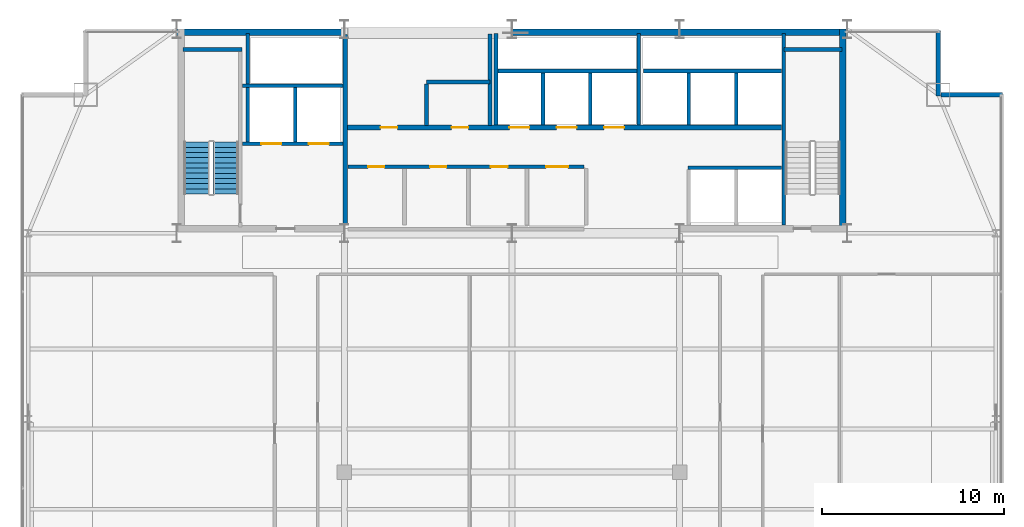
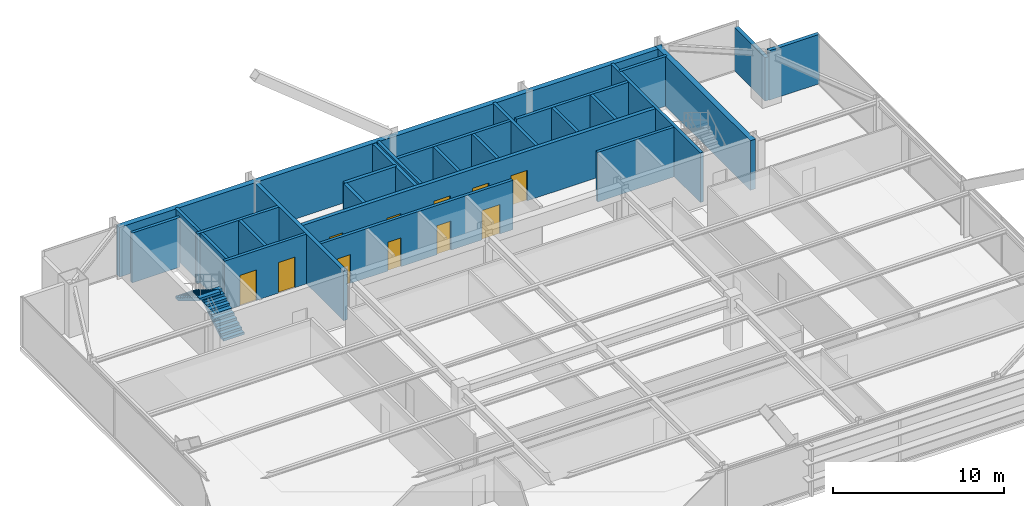
# One storey, part 27 of 30: 26 walls, 11 doors, 2 stair flights, 11 openings, 1 element without a shape of its own.
"""IFC4 building model written with IfcOpenShell, lengths in metres."""

from ifc_helpers import new_model, si_unit, direction, frame, frame_2d, origin, place, context, subcontext, project, spatial, polyline, rectangle, outline, extrude, source, transform, mapped, material, layer, layer_set, type_object, type_shapes, element, fill, aggregate, save


model = new_model("IFC4")

# Units and contexts
model_context = context("Model", 3, precision=1e-05, world=origin(), true_north=direction((0.0, 1.0)))
body_context = subcontext(model_context, "Body", "Model", "MODEL_VIEW")
ifc_project = project(units=[si_unit("LENGTHUNIT", "METRE"), si_unit("AREAUNIT", "SQUARE_METRE"), si_unit("VOLUMEUNIT", "CUBIC_METRE"), si_unit("PLANEANGLEUNIT", "RADIAN"), si_unit("MASSUNIT", "GRAM", prefix="KILO")], contexts=[model_context])

# Site, building, storey
site_placement = place(None, origin())
site = spatial("IfcSite", under=ifc_project, at=site_placement, CompositionType="ELEMENT")
building_placement = place(site_placement, origin())
building = spatial("IfcBuilding", under=site, at=building_placement, Name="Varnel Quay Broadcast Tower", CompositionType="ELEMENT")
storey_placement = place(building_placement, frame((0.0, 0.0, 149.60009765625)))
storey = spatial("IfcBuildingStorey", under=building, at=storey_placement, Name="L36", CompositionType="ELEMENT", Elevation=149.60009765625)

# Wall
ifc_material_1 = material(Name="Concrete CSA A23.3 C50/60", Category="concrete")
ifc_layer_1 = layer(ifc_material_1, 0.199951171875, Name="Concrete CSA A23.3 C50/60")
ifc_layer_set_1 = layer_set([ifc_layer_1], Name="Concrete CSA A23.3 C50/60")
wall_type_1 = type_object("IfcWallType", Name="Wall_CoreShaftShear200", PredefinedType="SHEAR", material=ifc_layer_set_1)
wall_1_placement = place(storey_placement, frame((15.949951171875, 45.679931640625, 0.0), z_axis=(0.0, 0.0, 1.0), x_axis=(1.0, 0.0, 0.0)))
element("IfcWall", 1, at=wall_1_placement, inside=storey, type_object=wall_type_1, Name="L36 Stair 1 North Structural Wall", PredefinedType="SHEAR", context=body_context, shape_type="SweptSolid", body=[
    extrude(rectangle(XDim=3.22998046875, YDim=0.199951171875, at=frame_2d((1.614990234375, 0.0))), origin(), (0.0, 0.0, 1.0), 3.5498046875),
])

# Wall, openings, doors
wall_2_placement = place(storey_placement, frame((19.199951171875, 40.5, 0.0), z_axis=(0.0, 0.0, 1.0), x_axis=(1.0, 0.0, 0.0)))
wall_2 = element("IfcWall", 2, at=wall_2_placement, inside=storey, type_object=wall_type_1, Name="L36 Firefighter Lift Shaft Front Wall", PredefinedType="SHEAR", context=body_context, shape_type="SweptSolid", body=[
    extrude(rectangle(XDim=5.52001953125, YDim=0.199951171875, at=frame_2d((2.760009765625, 0.0))), origin(), (0.0, 0.0, 1.0), 3.5498046875),
])
opening_1_placement = place(wall_2_placement, frame((1.050048828125, 0.0, 0.0)))
opening_1 = element("IfcOpeningElement", 3, at=opening_1_placement, cuts=wall_2, Name="Opening LD-L36-FE1", PredefinedType="OPENING", context=body_context, shape_type="SweptSolid", body=[
    extrude(rectangle(XDim=1.10009765625, YDim=2.179931640625, at=frame_2d((0.550048828125, 1.08984375))), frame((0.0, 0.10986328125, 0.0), z_axis=(0.0, -1.0, 0.0), x_axis=(1.0, 0.0, 0.0)), (0.0, 0.0, 1.0), 0.219970703125),
])
opening_2_placement = place(wall_2_placement, frame((3.64990234375, 0.0, 0.0)))
opening_2 = element("IfcOpeningElement", 4, at=opening_2_placement, cuts=wall_2, Name="Opening LD-L36-FE2", PredefinedType="OPENING", context=body_context, shape_type="SweptSolid", body=[
    extrude(rectangle(XDim=1.10009765625, YDim=2.179931640625, at=frame_2d((0.550048828125, 1.08984375))), frame((0.0, 0.10986328125, 0.0), z_axis=(0.0, -1.0, 0.0), x_axis=(1.0, 0.0, 0.0)), (0.0, 0.0, 1.0), 0.219970703125),
])
ifc_material_2 = material(Name="Brushed Bronze-Stainless Lift Car & Sliding Doors", Category="steel")
door_type_1 = type_object("IfcDoorType", Name="Door_LiftLanding1100", OperationType="SLIDING_TO_LEFT", PredefinedType="DOOR", material=ifc_material_2)
shared_shape_1 = source(origin(), body_context, "Body", "SweptSolid", [
    extrude(rectangle(XDim=1.10009765625, YDim=2.179931640625, at=frame_2d((0.550048828125, 1.08984375))), frame((0.0, 0.02490234375, 0.0), z_axis=(0.0, -1.0, 0.0), x_axis=(1.0, 0.0, 0.0)), (0.0, 0.0, 1.0), 0.050048828125),
])
type_shapes(door_type_1, [shared_shape_1])
door_1_placement = place(opening_1_placement, frame((1.10009765625, 0.0, 0.0), z_axis=(0.0, 0.0, 1.0), x_axis=(-1.0, 0.0, 0.0)))
door_1 = element("IfcDoor", 5, at=door_1_placement, inside=storey, type_object=door_type_1, Name="L36 Firefighter Lift FE-01 Landing Door", OperationType="SLIDING_TO_LEFT", OverallHeight=2.179931640625, OverallWidth=1.10009765625, PredefinedType="DOOR", context=body_context, shape_type="MappedRepresentation", body=[
    mapped(shared_shape_1, transform((0.0, 0.0, 0.0), x_axis=(1.0, 0.0, 0.0), y_axis=(0.0, 1.0, 0.0), z_axis=(0.0, 0.0, 1.0), scale=1.0)),
])
fill(opening_1, door_1)
door_2_placement = place(opening_2_placement, frame((1.10009765625, 0.0, 0.0), z_axis=(0.0, 0.0, 1.0), x_axis=(-1.0, 0.0, 0.0)))
door_2 = element("IfcDoor", 6, at=door_2_placement, inside=storey, type_object=door_type_1, Name="L36 Firefighter Lift FE-02 Landing Door", OperationType="SLIDING_TO_RIGHT", OverallHeight=2.179931640625, OverallWidth=1.10009765625, PredefinedType="DOOR", context=body_context, shape_type="MappedRepresentation", body=[
    mapped(shared_shape_1, transform((0.0, 0.0, 0.0), x_axis=(1.0, 0.0, 0.0), y_axis=(0.0, 1.0, 0.0), z_axis=(0.0, 0.0, 1.0), scale=1.0)),
])
fill(opening_2, door_2)

# Walls
wall_3_placement = place(storey_placement, frame((19.199951171875, 43.699951171875, 0.0), z_axis=(0.0, 0.0, 1.0), x_axis=(1.0, 0.0, 0.0)))
element("IfcWall", 7, at=wall_3_placement, inside=storey, type_object=wall_type_1, Name="L36 Firefighter Lift Shaft Rear Wall", PredefinedType="SHEAR", context=body_context, shape_type="SweptSolid", body=[
    extrude(rectangle(XDim=5.52001953125, YDim=0.199951171875, at=frame_2d((2.760009765625, 0.0))), origin(), (0.0, 0.0, 1.0), 3.5498046875),
])
wall_4_placement = place(storey_placement, frame((22.10009765625, 40.60009765625, 0.0), z_axis=(0.0, 0.0, 1.0), x_axis=(0.0, 1.0, 0.0)))
element("IfcWall", 8, at=wall_4_placement, inside=storey, type_object=wall_type_1, Name="L36 Firefighter Lift Shaft Divider", PredefinedType="SHEAR", context=body_context, shape_type="SweptSolid", body=[
    extrude(rectangle(XDim=3.0, YDim=0.199951171875, at=frame_2d((1.5, 0.0))), origin(), (0.0, 0.0, 1.0), 3.5498046875),
])
wall_5_placement = place(storey_placement, frame((19.5, 40.60009765625, 0.0), z_axis=(0.0, 0.0, 1.0), x_axis=(0.0, 1.0, 0.0)))
element("IfcWall", 9, at=wall_5_placement, inside=storey, type_object=wall_type_1, Name="L36 Firefighter Lift Shaft West Wall", PredefinedType="SHEAR", context=body_context, shape_type="SweptSolid", body=[
    extrude(rectangle(XDim=5.949951171875, YDim=0.199951171875, at=frame_2d((2.97509765625, 0.0))), origin(), (0.0, 0.0, 1.0), 3.5498046875),
])
wall_6_placement = place(storey_placement, frame((48.919921875, 36.050048828125, 0.0), z_axis=(0.0, 0.0, 1.0), x_axis=(0.0, 1.0, 0.0)))
element("IfcWall", 10, at=wall_6_placement, inside=storey, type_object=wall_type_1, Name="L36 Stair 2 West Structural Wall", PredefinedType="SHEAR", context=body_context, shape_type="SweptSolid", body=[
    extrude(rectangle(XDim=10.5, YDim=0.199951171875, at=frame_2d((5.25, 0.0))), origin(), (0.0, 0.0, 1.0), 3.5498046875),
])
wall_7_placement = place(storey_placement, frame((48.919921875, 45.679931640625, 0.0), z_axis=(0.0, 0.0, 1.0), x_axis=(1.0, 0.0, 0.0)))
element("IfcWall", 11, at=wall_7_placement, inside=storey, type_object=wall_type_1, Name="L36 Stair 2 North Structural Wall", PredefinedType="SHEAR", context=body_context, shape_type="SweptSolid", body=[
    extrude(rectangle(XDim=3.18017578125, YDim=0.199951171875, at=frame_2d((1.590087890625, 0.0))), origin(), (0.0, 0.0, 1.0), 3.5498046875),
])
wall_8_placement = place(storey_placement, frame((33.219970703125, 44.5, 0.0), z_axis=(0.0, 0.0, 1.0), x_axis=(1.0, 0.0, 0.0)))
element("IfcWall", 12, at=wall_8_placement, inside=storey, type_object=wall_type_1, Name="L36 Mid-Rise Lift Shaft Rear Wall", PredefinedType="SHEAR", context=body_context, shape_type="SweptSolid", body=[
    extrude(rectangle(XDim=7.630126953125, YDim=0.199951171875, at=frame_2d((3.81494140625, 0.0))), origin(), (0.0, 0.0, 1.0), 3.5498046875),
])
wall_9_placement = place(storey_placement, frame((33.1201171875, 41.530029296875, 0.0), z_axis=(0.0, 0.0, 1.0), x_axis=(0.0, 1.0, 0.0)))
element("IfcWall", 13, at=wall_9_placement, inside=storey, type_object=wall_type_1, Name="L36 Mid-Rise Lift Shaft Divider 1", PredefinedType="SHEAR", context=body_context, shape_type="SweptSolid", body=[
    extrude(rectangle(XDim=5.02001953125, YDim=0.199951171875, at=frame_2d((2.510009765625, 0.0))), origin(), (0.0, 0.0, 1.0), 3.5498046875),
])
for number, where, z_axis, x_axis, name in (
    (14, (35.699951171875, 41.530029296875, 0.0), (0.0, 0.0, 1.0), (0.0, 1.0, 0.0), "L36 Mid-Rise Lift Shaft Divider 2"),
    (15, (38.300048828125, 41.530029296875, 0.0), (0.0, 0.0, 1.0), (0.0, 1.0, 0.0), "L36 Mid-Rise Lift Shaft Divider 3"),
):
    element("IfcWall", number, at=place(storey_placement, frame(where, z_axis=z_axis, x_axis=x_axis)), inside=storey, type_object=wall_type_1, Name=name, PredefinedType="SHEAR", context=body_context, shape_type="SweptSolid", body=[
        extrude(rectangle(XDim=2.869873046875, YDim=0.199951171875, at=frame_2d((1.43505859375, 0.0))), origin(), (0.0, 0.0, 1.0), 3.5498046875),
    ])
wall_10_placement = place(storey_placement, frame((40.949951171875, 41.530029296875, 0.0), z_axis=(0.0, 0.0, 1.0), x_axis=(0.0, 1.0, 0.0)))
element("IfcWall", 16, at=wall_10_placement, inside=storey, type_object=wall_type_1, Name="L36 Mid-Rise Lift Shaft Divider 4", PredefinedType="SHEAR", context=body_context, shape_type="SweptSolid", body=[
    extrude(rectangle(XDim=5.02001953125, YDim=0.199951171875, at=frame_2d((2.510009765625, 0.0))), origin(), (0.0, 0.0, 1.0), 3.5498046875),
])
wall_11_placement = place(storey_placement, frame((41.219970703125, 44.5, 0.0), z_axis=(0.0, 0.0, 1.0), x_axis=(1.0, 0.0, 0.0)))
element("IfcWall", 17, at=wall_11_placement, inside=storey, type_object=wall_type_1, Name="L36 High-Rise Lift Shaft Rear Wall", PredefinedType="SHEAR", context=body_context, shape_type="SweptSolid", body=[
    extrude(rectangle(XDim=7.580078125, YDim=0.199951171875, at=frame_2d((3.7900390625, 0.0))), origin(), (0.0, 0.0, 1.0), 3.5498046875),
])
for number, where, z_axis, x_axis, name in (
    (18, (43.699951171875, 41.530029296875, 0.0), (0.0, 0.0, 1.0), (0.0, 1.0, 0.0), "L36 High-Rise Lift Shaft Divider 2"),
    (19, (46.300048828125, 41.530029296875, 0.0), (0.0, 0.0, 1.0), (0.0, 1.0, 0.0), "L36 High-Rise Lift Shaft Divider 3"),
):
    element("IfcWall", number, at=place(storey_placement, frame(where, z_axis=z_axis, x_axis=x_axis)), inside=storey, type_object=wall_type_1, Name=name, PredefinedType="SHEAR", context=body_context, shape_type="SweptSolid", body=[
        extrude(rectangle(XDim=2.869873046875, YDim=0.199951171875, at=frame_2d((1.43505859375, 0.0))), origin(), (0.0, 0.0, 1.0), 3.5498046875),
    ])
wall_12_placement = place(storey_placement, frame((43.64990234375, 39.199951171875, 0.0), z_axis=(0.0, 0.0, 1.0), x_axis=(1.0, 0.0, 0.0)))
element("IfcWall", 20, at=wall_12_placement, inside=storey, type_object=wall_type_1, Name="L36 Express Lift Shaft North Front Wall", PredefinedType="SHEAR", context=body_context, shape_type="SweptSolid", body=[
    extrude(rectangle(XDim=5.150146484375, YDim=0.199951171875, at=frame_2d((2.5751953125, 0.0))), origin(), (0.0, 0.0, 1.0), 3.5498046875),
])
ifc_layer_2 = layer(ifc_material_1, 0.25, Name="Concrete CSA A23.3 C50/60")
ifc_layer_set_2 = layer_set([ifc_layer_2], Name="Concrete CSA A23.3 C50/60")
wall_type_2 = type_object("IfcWallType", Name="Wall_CoreShaftShear250", PredefinedType="SHEAR", material=ifc_layer_set_2)
wall_13_placement = place(storey_placement, frame((24.85009765625, 36.050048828125, 0.0), z_axis=(0.0, 0.0, 1.0), x_axis=(0.0, 1.0, 0.0)))
element("IfcWall", 21, at=wall_13_placement, inside=storey, type_object=wall_type_2, Name="L36 Firefighting Lobby East Structural Wall", PredefinedType="SHEAR", context=body_context, shape_type="SweptSolid", body=[
    extrude(rectangle(XDim=10.449951171875, YDim=0.25, at=frame_2d((5.22509765625, 0.0))), origin(), (0.0, 0.0, 1.0), 3.5498046875),
])

# Wall, openings, doors
wall_14_placement = place(storey_placement, frame((24.97998046875, 41.39990234375, 0.0), z_axis=(0.0, 0.0, 1.0), x_axis=(1.0, 0.0, 0.0)))
wall_14 = element("IfcWall", 22, at=wall_14_placement, inside=storey, type_object=wall_type_2, Name="L36 North Lift Bank & Reclaimed Suite Wall", PredefinedType="SHEAR", context=body_context, shape_type="SweptSolid", body=[
    extrude(rectangle(XDim=23.820068359375, YDim=0.25, at=frame_2d((11.91015625, 0.0))), origin(), (0.0, 0.0, 1.0), 3.5498046875),
])
opening_3_placement = place(wall_14_placement, frame((8.8701171875, 0.0, 0.0)))
opening_3 = element("IfcOpeningElement", 23, at=opening_3_placement, cuts=wall_14, Name="Opening LD-L36-PM-01", PredefinedType="OPENING", context=body_context, shape_type="SweptSolid", body=[
    extrude(rectangle(XDim=1.10009765625, YDim=2.179931640625, at=frame_2d((0.550048828125, 1.08984375))), frame((0.0, 0.135009765625, 0.0), z_axis=(0.0, -1.0, 0.0), x_axis=(1.0, 0.0, 0.0)), (0.0, 0.0, 1.0), 0.27001953125),
])
opening_4_placement = place(wall_14_placement, frame((11.469970703125, 0.0, 0.0)))
opening_4 = element("IfcOpeningElement", 24, at=opening_4_placement, cuts=wall_14, Name="Opening LD-L36-PM-02", PredefinedType="OPENING", context=body_context, shape_type="SweptSolid", body=[
    extrude(rectangle(XDim=1.10009765625, YDim=2.179931640625, at=frame_2d((0.550048828125, 1.08984375))), frame((0.0, 0.135009765625, 0.0), z_axis=(0.0, -1.0, 0.0), x_axis=(1.0, 0.0, 0.0)), (0.0, 0.0, 1.0), 0.27001953125),
])
opening_5_placement = place(wall_14_placement, frame((14.070068359375, 0.0, 0.0)))
opening_5 = element("IfcOpeningElement", 25, at=opening_5_placement, cuts=wall_14, Name="Opening LD-L36-PM-03", PredefinedType="OPENING", context=body_context, shape_type="SweptSolid", body=[
    extrude(rectangle(XDim=1.10009765625, YDim=2.179931640625, at=frame_2d((0.550048828125, 1.08984375))), frame((0.0, 0.135009765625, 0.0), z_axis=(0.0, -1.0, 0.0), x_axis=(1.0, 0.0, 0.0)), (0.0, 0.0, 1.0), 0.27001953125),
])
opening_6_placement = place(wall_14_placement, frame((1.81005859375, 0.0, 0.0)))
opening_6 = element("IfcOpeningElement", 26, at=opening_6_placement, cuts=wall_14, Name="Opening D-L36-RECA1", PredefinedType="OPENING", context=body_context, shape_type="SweptSolid", body=[
    extrude(rectangle(XDim=0.919921875, YDim=2.080078125, at=frame_2d((0.4599609375, 1.0400390625))), frame((0.0, 0.135009765625, 0.0), z_axis=(0.0, -1.0, 0.0), x_axis=(1.0, 0.0, 0.0)), (0.0, 0.0, 1.0), 0.27001953125),
])
opening_7_placement = place(wall_14_placement, frame((5.7099609375, 0.0, 0.0)))
opening_7 = element("IfcOpeningElement", 27, at=opening_7_placement, cuts=wall_14, Name="Opening D-L36-RECA2", PredefinedType="OPENING", context=body_context, shape_type="SweptSolid", body=[
    extrude(rectangle(XDim=0.919921875, YDim=2.080078125, at=frame_2d((0.4599609375, 1.0400390625))), frame((0.0, 0.135009765625, 0.0), z_axis=(0.0, -1.0, 0.0), x_axis=(1.0, 0.0, 0.0)), (0.0, 0.0, 1.0), 0.27001953125),
])
door_3_placement = place(opening_3_placement, frame((1.10009765625, 0.0, 0.0), z_axis=(0.0, 0.0, 1.0), x_axis=(-1.0, 0.0, 0.0)))
door_3 = element("IfcDoor", 28, at=door_3_placement, inside=storey, type_object=door_type_1, Name="L36 Lift PM-01 Landing Door", OperationType="SLIDING_TO_LEFT", OverallHeight=2.179931640625, OverallWidth=1.10009765625, PredefinedType="DOOR", context=body_context, shape_type="MappedRepresentation", body=[
    mapped(shared_shape_1, transform((0.0, 0.0, 0.0), x_axis=(1.0, 0.0, 0.0), y_axis=(0.0, 1.0, 0.0), z_axis=(0.0, 0.0, 1.0), scale=1.0)),
])
fill(opening_3, door_3)
door_4_placement = place(opening_4_placement, frame((1.10009765625, 0.0, 0.0), z_axis=(0.0, 0.0, 1.0), x_axis=(-1.0, 0.0, 0.0)))
door_4 = element("IfcDoor", 29, at=door_4_placement, inside=storey, type_object=door_type_1, Name="L36 Lift PM-02 Landing Door", OperationType="SLIDING_TO_LEFT", OverallHeight=2.179931640625, OverallWidth=1.10009765625, PredefinedType="DOOR", context=body_context, shape_type="MappedRepresentation", body=[
    mapped(shared_shape_1, transform((0.0, 0.0, 0.0), x_axis=(1.0, 0.0, 0.0), y_axis=(0.0, 1.0, 0.0), z_axis=(0.0, 0.0, 1.0), scale=1.0)),
])
fill(opening_4, door_4)
door_5_placement = place(opening_5_placement, frame((1.10009765625, 0.0, 0.0), z_axis=(0.0, 0.0, 1.0), x_axis=(-1.0, 0.0, 0.0)))
door_5 = element("IfcDoor", 30, at=door_5_placement, inside=storey, type_object=door_type_1, Name="L36 Lift PM-03 Landing Door", OperationType="SLIDING_TO_LEFT", OverallHeight=2.179931640625, OverallWidth=1.10009765625, PredefinedType="DOOR", context=body_context, shape_type="MappedRepresentation", body=[
    mapped(shared_shape_1, transform((0.0, 0.0, 0.0), x_axis=(1.0, 0.0, 0.0), y_axis=(0.0, 1.0, 0.0), z_axis=(0.0, 0.0, 1.0), scale=1.0)),
])
fill(opening_5, door_5)
ifc_material_3 = material(Name="Solid-Core Fire-Rated Acoustic Oak Veneer Door", Category="wood")
door_type_2 = type_object("IfcDoorType", Name="Door_Office920", OperationType="NOTDEFINED", PredefinedType="DOOR", material=ifc_material_3)
shared_shape_2 = source(origin(), body_context, "Body", "SweptSolid", [
    extrude(rectangle(XDim=0.919921875, YDim=2.080078125, at=frame_2d((0.4599609375, 1.0400390625))), frame((0.0, 0.02490234375, 0.0), z_axis=(0.0, -1.0, 0.0), x_axis=(1.0, 0.0, 0.0)), (0.0, 0.0, 1.0), 0.050048828125),
])
type_shapes(door_type_2, [shared_shape_2])
door_6_placement = place(opening_6_placement, origin())
door_6 = element("IfcDoor", 31, at=door_6_placement, inside=storey, type_object=door_type_2, Name="L36 Signal Routing Suite Door", OperationType="SINGLE_SWING_RIGHT", OverallHeight=2.080078125, OverallWidth=0.919921875, PredefinedType="DOOR", context=body_context, shape_type="MappedRepresentation", body=[
    mapped(shared_shape_2, transform((0.0, 0.0, 0.0), x_axis=(1.0, 0.0, 0.0), y_axis=(0.0, 1.0, 0.0), z_axis=(0.0, 0.0, 1.0), scale=1.0)),
])
fill(opening_6, door_6)
door_7_placement = place(opening_7_placement, origin())
door_7 = element("IfcDoor", 32, at=door_7_placement, inside=storey, type_object=door_type_2, Name="L36 Archive Media Store Door", OperationType="SINGLE_SWING_LEFT", OverallHeight=2.080078125, OverallWidth=0.919921875, PredefinedType="DOOR", context=body_context, shape_type="MappedRepresentation", body=[
    mapped(shared_shape_2, transform((0.0, 0.0, 0.0), x_axis=(1.0, 0.0, 0.0), y_axis=(0.0, 1.0, 0.0), z_axis=(0.0, 0.0, 1.0), scale=1.0)),
])
fill(opening_7, door_7)

# Walls
ifc_layer_3 = layer(ifc_material_1, 0.35009765625, Name="Concrete CSA A23.3 C50/60")
ifc_layer_set_3 = layer_set([ifc_layer_3], Name="Concrete CSA A23.3 C50/60")
wall_type_3 = type_object("IfcWallType", Name="Wall_CoreShearExt350", PredefinedType="SHEAR", material=ifc_layer_set_3)
wall_15_placement = place(storey_placement, frame((15.60009765625, 46.625, 0.0), z_axis=(0.0, 0.0, 1.0), x_axis=(1.0, 0.0, 0.0)))
element("IfcWall", 33, at=wall_15_placement, inside=storey, type_object=wall_type_3, Name="L36 North Core Shear Wall", PredefinedType="SHEAR", context=body_context, shape_type="SweptSolid", body=[
    extrude(rectangle(XDim=36.7998046875, YDim=0.35009765625, at=frame_2d((18.39990234375, 0.0))), origin(), (0.0, 0.0, 1.0), 3.5498046875),
])
ifc_layer_4 = layer(ifc_material_1, 0.35009765625, Name="Concrete CSA A23.3 C50/60")
ifc_layer_set_4 = layer_set([ifc_layer_4], Name="Concrete CSA A23.3 C50/60")
wall_type_4 = type_object("IfcWallType", Name="Wall_CoreShearInt350", PredefinedType="SHEAR", material=ifc_layer_set_4)
wall_16_placement = place(storey_placement, frame((52.155029296875, 35.669921875, 0.0), z_axis=(0.0, 0.0, 1.0), x_axis=(0.0, 1.0, 0.0)))
element("IfcWall", 34, at=wall_16_placement, inside=storey, type_object=wall_type_4, Name="L36 East Core Shear Wall", PredefinedType="SHEAR", context=body_context, shape_type="SweptSolid", body=[
    extrude(rectangle(XDim=11.130126953125, YDim=0.35009765625, at=frame_2d((5.56494140625, 0.0))), origin(), (0.0, 0.0, 1.0), 3.5498046875),
])
ifc_material_4 = material(Name="Precast Architectural Concrete C40/50", Category="concrete")
ifc_layer_5 = layer(ifc_material_4, 0.25, Name="Precast Architectural Concrete C40/50")
ifc_layer_set_5 = layer_set([ifc_layer_5], Name="Precast Architectural Concrete C40/50")
wall_type_5 = type_object("IfcWallType", Name="Wall_ExtTerrace250", PredefinedType="SOLIDWALL", material=ifc_layer_set_5)
wall_17_placement = place(storey_placement, frame((57.530029296875, 43.199951171875, 0.0), z_axis=(0.0, 0.0, 1.0), x_axis=(1.0, 0.0, 0.0)))
element("IfcWall", 35, at=wall_17_placement, inside=storey, type_object=wall_type_5, Name="L36 Mega-Column Notch Cladding Wall NNE1", PredefinedType="SOLIDWALL", context=body_context, shape_type="SweptSolid", body=[
    extrude(rectangle(XDim=3.389892578125, YDim=0.25, at=frame_2d((1.69482421875, 0.0))), origin(), (0.0, 0.0, 1.0), 3.52978515625),
])
wall_18_placement = place(storey_placement, frame((57.39990234375, 43.1201171875, 0.0), z_axis=(0.0, 0.0, 1.0), x_axis=(0.0, 1.0, 0.0)))
element("IfcWall", 36, at=wall_18_placement, inside=storey, type_object=wall_type_5, Name="L36 Mega-Column Notch Cladding Wall NNE2", PredefinedType="SOLIDWALL", context=body_context, shape_type="SweptSolid", body=[
    extrude(rectangle(XDim=3.599853515625, YDim=0.25, at=frame_2d((1.7998046875, 0.0))), origin(), (0.0, 0.0, 1.0), 3.10791015625),
])

# Wall, openings, doors
ifc_material_5 = material(Name="Concrete Blockwork Fire Enclosure C40/50", Category="masonry")
ifc_layer_6 = layer(ifc_material_5, 0.199951171875, Name="Concrete Blockwork Fire Enclosure C40/50")
ifc_layer_set_6 = layer_set([ifc_layer_6], Name="Concrete Blockwork Fire Enclosure C40/50")
wall_type_6 = type_object("IfcWallType", Name="Wall_FireShaft200", PredefinedType="SOLIDWALL", material=ifc_layer_set_6)
wall_19_placement = place(storey_placement, frame((25.0, 39.25, 0.0), z_axis=(0.0, 0.0, 1.0), x_axis=(1.0, 0.0, 0.0)))
wall_19 = element("IfcWall", 37, at=wall_19_placement, inside=storey, type_object=wall_type_6, Name="L36 Accessible Universal Washroom Partition 3", PredefinedType="SOLIDWALL", context=body_context, shape_type="SweptSolid", body=[
    extrude(rectangle(XDim=12.949951171875, YDim=0.199951171875, at=frame_2d((6.47509765625, 0.0))), origin(), (0.0, 0.0, 1.0), 3.52978515625),
])
opening_8_placement = place(wall_19_placement, frame((1.10009765625, 0.0, 0.0)))
opening_8 = element("IfcOpeningElement", 38, at=opening_8_placement, cuts=wall_19, Name="Opening D-L36-01", PredefinedType="OPENING", context=body_context, shape_type="SweptSolid", body=[
    extrude(rectangle(XDim=0.89990234375, YDim=2.06005859375, at=frame_2d((0.449951171875, 1.030029296875))), frame((0.0, 0.10986328125, 0.0), z_axis=(0.0, -1.0, 0.0), x_axis=(1.0, 0.0, 0.0)), (0.0, 0.0, 1.0), 0.219970703125),
])
opening_9_placement = place(wall_19_placement, frame((4.5, 0.0, 0.0)))
opening_9 = element("IfcOpeningElement", 39, at=opening_9_placement, cuts=wall_19, Name="Opening D-L36-02", PredefinedType="OPENING", context=body_context, shape_type="SweptSolid", body=[
    extrude(rectangle(XDim=0.89990234375, YDim=2.06005859375, at=frame_2d((0.449951171875, 1.030029296875))), frame((0.0, 0.10986328125, 0.0), z_axis=(0.0, -1.0, 0.0), x_axis=(1.0, 0.0, 0.0)), (0.0, 0.0, 1.0), 0.219970703125),
])
opening_10_placement = place(wall_19_placement, frame((7.840087890625, 0.0, 0.0)))
opening_10 = element("IfcOpeningElement", 40, at=opening_10_placement, cuts=wall_19, Name="Opening D-L36-03", PredefinedType="OPENING", context=body_context, shape_type="SweptSolid", body=[
    extrude(rectangle(XDim=0.919921875, YDim=2.080078125, at=frame_2d((0.4599609375, 1.0400390625))), frame((0.0, 0.10986328125, 0.0), z_axis=(0.0, -1.0, 0.0), x_axis=(1.0, 0.0, 0.0)), (0.0, 0.0, 1.0), 0.219970703125),
])
opening_11_placement = place(wall_19_placement, frame((10.875, 0.0, 0.0)))
opening_11 = element("IfcOpeningElement", 41, at=opening_11_placement, cuts=wall_19, Name="Opening D-L36-04", PredefinedType="OPENING", context=body_context, shape_type="SweptSolid", body=[
    extrude(rectangle(XDim=1.199951171875, YDim=2.10009765625, at=frame_2d((0.60009765625, 1.050048828125))), frame((0.0, 0.10986328125, 0.0), z_axis=(0.0, -1.0, 0.0), x_axis=(1.0, 0.0, 0.0)), (0.0, 0.0, 1.0), 0.219970703125),
])
door_type_3 = type_object("IfcDoorType", Name="Door_Washroom900", OperationType="NOTDEFINED", PredefinedType="DOOR", material=ifc_material_3)
shared_shape_3 = source(origin(), body_context, "Body", "SweptSolid", [
    extrude(rectangle(XDim=0.89990234375, YDim=2.06005859375, at=frame_2d((0.449951171875, 1.030029296875))), frame((0.0, 0.02490234375, 0.0), z_axis=(0.0, -1.0, 0.0), x_axis=(1.0, 0.0, 0.0)), (0.0, 0.0, 1.0), 0.050048828125),
])
type_shapes(door_type_3, [shared_shape_3])
door_8_placement = place(opening_8_placement, frame((0.89990234375, 0.0, 0.0), z_axis=(0.0, 0.0, 1.0), x_axis=(-1.0, 0.0, 0.0)))
door_8 = element("IfcDoor", 42, at=door_8_placement, inside=storey, type_object=door_type_3, Name="L36 Accessible Universal Washroom Door D-L36-01", OperationType="SINGLE_SWING_RIGHT", OverallHeight=2.06005859375, OverallWidth=0.89990234375, PredefinedType="DOOR", context=body_context, shape_type="MappedRepresentation", body=[
    mapped(shared_shape_3, transform((0.0, 0.0, 0.0), x_axis=(1.0, 0.0, 0.0), y_axis=(0.0, 1.0, 0.0), z_axis=(0.0, 0.0, 1.0), scale=1.0)),
])
fill(opening_8, door_8)
door_9_placement = place(opening_9_placement, frame((0.89990234375, 0.0, 0.0), z_axis=(0.0, 0.0, 1.0), x_axis=(-1.0, 0.0, 0.0)))
door_9 = element("IfcDoor", 43, at=door_9_placement, inside=storey, type_object=door_type_3, Name="L36 Staff Washroom Block Door D-L36-02", OperationType="SINGLE_SWING_LEFT", OverallHeight=2.06005859375, OverallWidth=0.89990234375, PredefinedType="DOOR", context=body_context, shape_type="MappedRepresentation", body=[
    mapped(shared_shape_3, transform((0.0, 0.0, 0.0), x_axis=(1.0, 0.0, 0.0), y_axis=(0.0, 1.0, 0.0), z_axis=(0.0, 0.0, 1.0), scale=1.0)),
])
fill(opening_9, door_9)
ifc_material_6 = material(Name="Insulated Fire-Rated Hollow Steel Door", Category="steel")
door_type_4 = type_object("IfcDoorType", Name="Door_Plant1200", OperationType="NOTDEFINED", PredefinedType="DOOR", material=ifc_material_6)
shared_shape_4 = source(origin(), body_context, "Body", "SweptSolid", [
    extrude(rectangle(XDim=1.199951171875, YDim=2.10009765625, at=frame_2d((0.60009765625, 1.050048828125))), frame((0.0, 0.02490234375, 0.0), z_axis=(0.0, -1.0, 0.0), x_axis=(1.0, 0.0, 0.0)), (0.0, 0.0, 1.0), 0.050048828125),
])
type_shapes(door_type_4, [shared_shape_4])
door_10_placement = place(opening_11_placement, origin())
door_10 = element("IfcDoor", 44, at=door_10_placement, inside=storey, type_object=door_type_4, Name="L36 Zone Lighting Dimmer Room Door D-L36-04", OperationType="SINGLE_SWING_LEFT", OverallHeight=2.10009765625, OverallWidth=1.199951171875, PredefinedType="DOOR", context=body_context, shape_type="MappedRepresentation", body=[
    mapped(shared_shape_4, transform((0.0, 0.0, 0.0), x_axis=(1.0, 0.0, 0.0), y_axis=(0.0, 1.0, 0.0), z_axis=(0.0, 0.0, 1.0), scale=1.0)),
])
fill(opening_11, door_10)
door_11_placement = place(opening_10_placement, frame((0.919921875, 0.0, 0.0), z_axis=(0.0, 0.0, 1.0), x_axis=(-1.0, 0.0, 0.0)))
door_11 = element("IfcDoor", 45, at=door_11_placement, inside=storey, type_object=door_type_2, Name="L36 Broadcast First-Aid & Quiet Room Door D-L36-03", OperationType="SINGLE_SWING_RIGHT", OverallHeight=2.080078125, OverallWidth=0.919921875, PredefinedType="DOOR", context=body_context, shape_type="MappedRepresentation", body=[
    mapped(shared_shape_2, transform((0.0, 0.0, 0.0), x_axis=(1.0, 0.0, 0.0), y_axis=(0.0, 1.0, 0.0), z_axis=(0.0, 0.0, 1.0), scale=1.0)),
])
fill(opening_10, door_11)

# Walls
ifc_material_7 = material(Name="Steel-Stud Fire-Rated Acoustic Gypsum Partition Assembly", Category="steel")
ifc_layer_7 = layer(ifc_material_7, 0.22509765625, Name="Steel-Stud Fire-Rated Acoustic Gypsum Partition Assembly")
ifc_layer_set_7 = layer_set([ifc_layer_7], Name="Steel-Stud Fire-Rated Acoustic Gypsum Partition Assembly")
wall_type_7 = type_object("IfcWallType", Name="Wall_Partition225", PredefinedType="PARTITIONING", material=ifc_layer_set_7)
wall_20_placement = place(storey_placement, frame((29.300048828125, 41.5, 0.0), z_axis=(0.0, 0.0, 1.0), x_axis=(0.0, 1.0, 0.0)))
element("IfcWall", 46, at=wall_20_placement, inside=storey, type_object=wall_type_7, Name="L36 Signal Routing Suite Partition 20", PredefinedType="PARTITIONING", context=body_context, shape_type="SweptSolid", body=[
    extrude(rectangle(XDim=2.2880859375, YDim=0.22509765625, at=frame_2d((1.14404296875, 0.0))), origin(), (0.0, 0.0, 1.0), 3.52978515625),
])
wall_21_placement = place(storey_placement, frame((29.300048828125, 43.89990234375, 0.0), z_axis=(0.0, 0.0, 1.0), x_axis=(1.0, 0.0, 0.0)))
element("IfcWall", 47, at=wall_21_placement, inside=storey, type_object=wall_type_7, Name="L36 Signal Routing Suite Partition 21", PredefinedType="PARTITIONING", context=body_context, shape_type="SweptSolid", body=[
    extrude(rectangle(XDim=3.5, YDim=0.22509765625, at=frame_2d((1.75, 0.0))), origin(), (0.0, 0.0, 1.0), 3.52978515625),
])
wall_22_placement = place(storey_placement, frame((32.800048828125, 41.5, 0.0), z_axis=(0.0, 0.0, 1.0), x_axis=(0.0, 1.0, 0.0)))
element("IfcWall", 48, at=wall_22_placement, inside=storey, type_object=wall_type_7, Name="L36 Signal Routing Suite Partition 22", PredefinedType="PARTITIONING", context=body_context, shape_type="SweptSolid", body=[
    extrude(rectangle(XDim=5.02001953125, YDim=0.22509765625, at=frame_2d((2.510009765625, 0.0))), origin(), (0.0, 0.0, 1.0), 3.52978515625),
])

# Stair, stair flights
ifc_material_8 = material(Name="Precast Structural Concrete C40/50", Category="concrete")
stair_type = type_object("IfcStairType", Name="Stair_ST-01", PredefinedType="HALF_TURN_STAIR", material=ifc_material_8)
stair_placement = place(storey_placement, origin())
stair = element("IfcStair", 49, at=stair_placement, inside=storey, type_object=stair_type, Name="L36 West Core Exit Stair 1", PredefinedType="HALF_TURN_STAIR")
stair_flight_type = type_object("IfcStairFlightType", Name="Flight_ST-01", PredefinedType="STRAIGHT", material=ifc_material_8)
stair_flight_1_placement = place(storey_placement, frame((18.300048828125, 37.75, 0.0), z_axis=(0.0, 0.0, 1.0), x_axis=(0.0, 1.0, 0.0)))
stair_flight_1 = element("IfcStairFlight", 50, at=stair_flight_1_placement, type_object=stair_flight_type, Name="ST-01 flight 1", NumberOfRisers=11, NumberOfTreads=10, PredefinedType="STRAIGHT", RiserHeight=0.172727273, TreadLength=0.285, context=body_context, shape_type="SweptSolid", body=[
    extrude(outline(polyline([(0.0, 0.0), (0.0, 0.172607421875), (0.284912109375, 0.172607421875), (0.284912109375, 0.345458984375), (0.570068359375, 0.345458984375), (0.570068359375, 0.51806640625), (0.85498046875, 0.51806640625), (0.85498046875, 0.69091796875), (1.139892578125, 0.69091796875), (1.139892578125, 0.863525390625), (1.425048828125, 0.863525390625), (1.425048828125, 1.036376953125), (1.7099609375, 1.036376953125), (1.7099609375, 1.208984375), (1.9951171875, 1.208984375), (1.9951171875, 1.3818359375), (2.280029296875, 1.3818359375), (2.280029296875, 1.554443359375), (2.56494140625, 1.554443359375), (2.56494140625, 1.727294921875), (2.85009765625, 1.727294921875), (2.85009765625, 1.89990234375), (2.85009765625, 1.552001953125), (0.289306640625, 0.0), (0.0, 0.0)])), frame((0.0, 0.699951171875, 0.0), z_axis=(0.0, -1.0, 0.0), x_axis=(1.0, 0.0, 0.0)), (0.0, 0.0, 1.0), 1.39990234375),
])
stair_flight_2_placement = place(storey_placement, frame((16.699951171875, 40.60009765625, 1.89990234375), z_axis=(0.0, 0.0, 1.0), x_axis=(0.0, -1.0, 0.0)))
stair_flight_2 = element("IfcStairFlight", 51, at=stair_flight_2_placement, type_object=stair_flight_type, Name="ST-01 flight 2", NumberOfRisers=11, NumberOfTreads=10, PredefinedType="STRAIGHT", RiserHeight=0.172727273, TreadLength=0.285, context=body_context, shape_type="SweptSolid", body=[
    extrude(outline(polyline([(0.0, 0.0), (0.0, 0.172607421875), (0.284912109375, 0.172607421875), (0.284912109375, 0.345458984375), (0.570068359375, 0.345458984375), (0.570068359375, 0.51806640625), (0.85498046875, 0.51806640625), (0.85498046875, 0.69091796875), (1.139892578125, 0.69091796875), (1.139892578125, 0.863525390625), (1.425048828125, 0.863525390625), (1.425048828125, 1.036376953125), (1.7099609375, 1.036376953125), (1.7099609375, 1.208984375), (1.9951171875, 1.208984375), (1.9951171875, 1.3818359375), (2.280029296875, 1.3818359375), (2.280029296875, 1.554443359375), (2.56494140625, 1.554443359375), (2.56494140625, 1.727294921875), (2.85009765625, 1.727294921875), (2.85009765625, 1.89990234375), (2.85009765625, 1.552001953125), (0.289306640625, 0.0), (0.0, 0.0)])), frame((0.0, 0.699951171875, 0.0), z_axis=(0.0, -1.0, 0.0), x_axis=(1.0, 0.0, 0.0)), (0.0, 0.0, 1.0), 1.39990234375),
])
aggregate(stair, [stair_flight_1, stair_flight_2])

save(model, "model.ifc")
